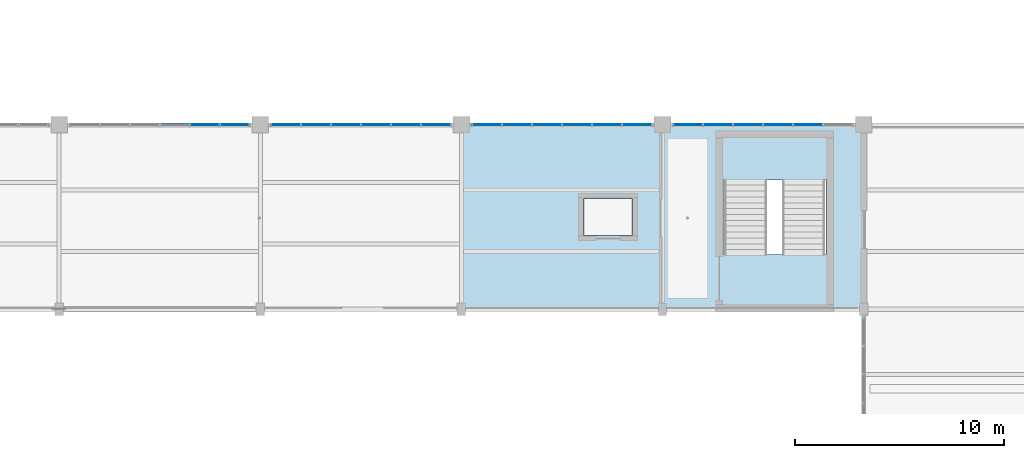
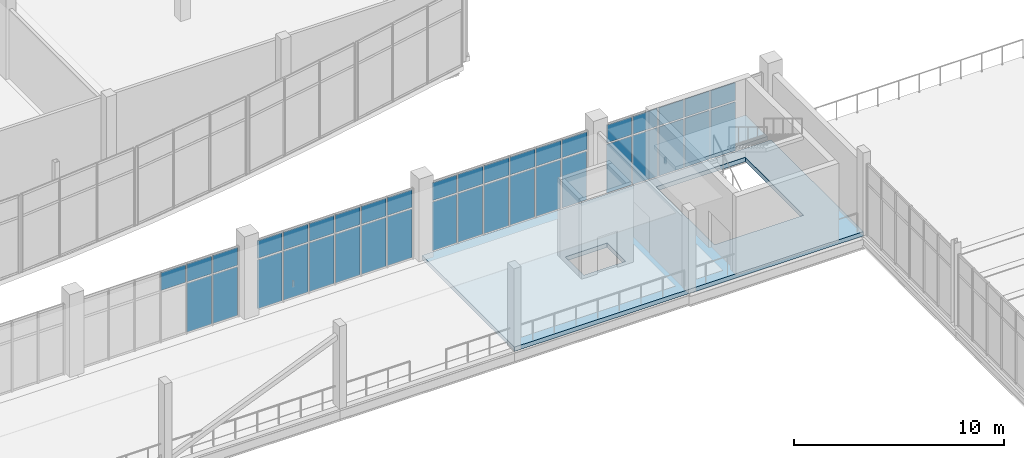
# One storey, part 121 of 157: 39 plates, 2 slabs, 5 elements without a shape of their own.
"""IFC4 building model written with IfcOpenShell, lengths in metres."""

from ifc_helpers import new_model, si_unit, direction, frame, origin, origin_2d, place, context, subcontext, project, spatial, polyline, rectangle, outline, extrude, material, layer, layer_set, type_object, element, aggregate, save


model = new_model("IFC4")

# Units and contexts
model_context = context("Model", 3, precision=1e-05, world=origin(), true_north=direction((0.0, 1.0)))
body_context = subcontext(model_context, "Body", "Model", "MODEL_VIEW")
ifc_project = project(units=[si_unit("LENGTHUNIT", "METRE"), si_unit("AREAUNIT", "SQUARE_METRE"), si_unit("VOLUMEUNIT", "CUBIC_METRE"), si_unit("PLANEANGLEUNIT", "RADIAN"), si_unit("MASSUNIT", "GRAM", prefix="KILO")], contexts=[model_context])

# Site, building, storey
site_placement = place(None, origin())
site = spatial("IfcSite", under=ifc_project, at=site_placement, CompositionType="ELEMENT")
building_placement = place(site_placement, origin())
building = spatial("IfcBuilding", under=site, at=building_placement, Name="Chalmorin Arch Market", CompositionType="ELEMENT")
storey_placement = place(building_placement, frame((0.0, 0.0, 4.800048828125)))
storey = spatial("IfcBuildingStorey", under=building, at=storey_placement, Name="L01", CompositionType="ELEMENT", Elevation=4.800048828125)

# Slab
ifc_material_1 = material(Name="Concrete C40/50", Category="concrete")
ifc_layer_1 = layer(ifc_material_1, 0.25)
ifc_layer_set_1 = layer_set([ifc_layer_1], Name="Concrete C40/50")
slab_type_1 = type_object("IfcSlabType", Name="MezzanineDeckSlab-250", PredefinedType="FLOOR", material=ifc_layer_set_1)
slab_1_placement = place(storey_placement, frame((0.0, 0.0, -0.25)))
element("IfcSlab", 1, at=slab_1_placement, inside=storey, type_object=slab_type_1, Name="FS-250-092", PredefinedType="FLOOR", context=body_context, shape_type="SweptSolid", body=[
    extrude(outline(polyline([(105.610107421875, 50.0), (124.7900390625, 50.0), (124.7900390625, 58.800048828125), (105.610107421875, 58.800048828125), (105.610107421875, 50.0)]), holes=[polyline([(118.10009765625, 52.60009765625), (123.0, 52.60009765625), (123.0, 58.14990234375), (118.10009765625, 58.14990234375), (118.10009765625, 52.60009765625)]), polyline([(111.449951171875, 53.52490234375), (113.75, 53.52490234375), (113.75, 55.27490234375), (111.449951171875, 55.27490234375), (111.449951171875, 53.52490234375)])]), origin(), (0.0, 0.0, 1.0), 0.25),
])

# Curtain wall, plates
ifc_material_2 = material(Name="Aluminium 6063-T6", Category="aluminium")
ifc_layer_2 = layer(ifc_material_2, 0.159912109375)
ifc_layer_set_2 = layer_set([ifc_layer_2], Name="Aluminium 6063-T6")
curtain_wall_type = type_object("IfcCurtainWallType", Name="MarketClerestoryCurtainWall-CW1-8580x4100", PredefinedType="NOTDEFINED", material=ifc_layer_set_2)
curtain_wall_1_placement = place(storey_placement, origin())
curtain_wall_1 = element("IfcCurtainWall", 2, at=curtain_wall_1_placement, inside=storey, type_object=curtain_wall_type, Name="CW-01-015", PredefinedType="NOTDEFINED")
ifc_material_3 = material(Name="Powder-coated Aluminium Panel", Category="aluminium")
ifc_layer_3 = layer(ifc_material_3, 0.0400390625)
ifc_layer_set_3 = layer_set([ifc_layer_3], Name="Powder-coated Aluminium Panel")
plate_type_1 = type_object("IfcPlateType", Name="ShadowboxSpandrelPanel-40", PredefinedType="CURTAIN_PANEL", material=ifc_layer_set_3)
plate_1_placement = place(storey_placement, frame((91.9150390625, 58.800048828125, 2.994140625), z_axis=(0.0, 0.0, 1.0), x_axis=(1.0, 0.0, 0.0)))
plate_1 = element("IfcPlate", 3, at=plate_1_placement, type_object=plate_type_1, Name="SP-40-015-04B", PredefinedType="CURTAIN_PANEL", context=body_context, shape_type="SweptSolid", body=[
    extrude(rectangle(XDim=1.35009765625, YDim=0.0400390625, at=origin_2d()), origin(), (0.0, 0.0, 1.0), 1.031982421875),
])
plate_2_placement = place(storey_placement, frame((93.344970703125, 58.800048828125, 2.994140625), z_axis=(0.0, 0.0, 1.0), x_axis=(1.0, 0.0, 0.0)))
plate_2 = element("IfcPlate", 4, at=plate_2_placement, type_object=plate_type_1, Name="SP-40-015-05B", PredefinedType="CURTAIN_PANEL", context=body_context, shape_type="SweptSolid", body=[
    extrude(rectangle(XDim=1.35009765625, YDim=0.0400390625, at=origin_2d()), origin(), (0.0, 0.0, 1.0), 1.031982421875),
])
plate_3_placement = place(storey_placement, frame((94.77490234375, 58.800048828125, 2.994140625), z_axis=(0.0, 0.0, 1.0), x_axis=(1.0, 0.0, 0.0)))
plate_3 = element("IfcPlate", 5, at=plate_3_placement, type_object=plate_type_1, Name="SP-40-015-06B", PredefinedType="CURTAIN_PANEL", context=body_context, shape_type="SweptSolid", body=[
    extrude(rectangle(XDim=1.35009765625, YDim=0.0400390625, at=origin_2d()), origin(), (0.0, 0.0, 1.0), 1.031982421875),
])

curtain_wall_2_placement = place(storey_placement, origin())
curtain_wall_2 = element("IfcCurtainWall", 6, at=curtain_wall_2_placement, inside=storey, type_object=curtain_wall_type, Name="CW-01-018", PredefinedType="NOTDEFINED")
plate_4_placement = place(storey_placement, frame((97.22509765625, 58.800048828125, 2.994140625), z_axis=(0.0, 0.0, 1.0), x_axis=(1.0, 0.0, 0.0)))
plate_4 = element("IfcPlate", 7, at=plate_4_placement, type_object=plate_type_1, Name="SP-40-018-01B", PredefinedType="CURTAIN_PANEL", context=body_context, shape_type="SweptSolid", body=[
    extrude(rectangle(XDim=1.35009765625, YDim=0.0400390625, at=origin_2d()), origin(), (0.0, 0.0, 1.0), 1.031982421875),
])
plate_5_placement = place(storey_placement, frame((98.655029296875, 58.800048828125, 2.994140625), z_axis=(0.0, 0.0, 1.0), x_axis=(1.0, 0.0, 0.0)))
plate_5 = element("IfcPlate", 8, at=plate_5_placement, type_object=plate_type_1, Name="SP-40-018-02B", PredefinedType="CURTAIN_PANEL", context=body_context, shape_type="SweptSolid", body=[
    extrude(rectangle(XDim=1.35009765625, YDim=0.0400390625, at=origin_2d()), origin(), (0.0, 0.0, 1.0), 1.031982421875),
])
plate_6_placement = place(storey_placement, frame((100.0849609375, 58.800048828125, 2.994140625), z_axis=(0.0, 0.0, 1.0), x_axis=(1.0, 0.0, 0.0)))
plate_6 = element("IfcPlate", 9, at=plate_6_placement, type_object=plate_type_1, Name="SP-40-018-03B", PredefinedType="CURTAIN_PANEL", context=body_context, shape_type="SweptSolid", body=[
    extrude(rectangle(XDim=1.35009765625, YDim=0.0400390625, at=origin_2d()), origin(), (0.0, 0.0, 1.0), 1.031982421875),
])
plate_7_placement = place(storey_placement, frame((101.514892578125, 58.800048828125, 2.994140625), z_axis=(0.0, 0.0, 1.0), x_axis=(1.0, 0.0, 0.0)))
plate_7 = element("IfcPlate", 10, at=plate_7_placement, type_object=plate_type_1, Name="SP-40-018-04B", PredefinedType="CURTAIN_PANEL", context=body_context, shape_type="SweptSolid", body=[
    extrude(rectangle(XDim=1.35009765625, YDim=0.0400390625, at=origin_2d()), origin(), (0.0, 0.0, 1.0), 1.031982421875),
])
plate_8_placement = place(storey_placement, frame((102.945068359375, 58.800048828125, 2.994140625), z_axis=(0.0, 0.0, 1.0), x_axis=(1.0, 0.0, 0.0)))
plate_8 = element("IfcPlate", 11, at=plate_8_placement, type_object=plate_type_1, Name="SP-40-018-05B", PredefinedType="CURTAIN_PANEL", context=body_context, shape_type="SweptSolid", body=[
    extrude(rectangle(XDim=1.35009765625, YDim=0.0400390625, at=origin_2d()), origin(), (0.0, 0.0, 1.0), 1.031982421875),
])
plate_9_placement = place(storey_placement, frame((104.375, 58.800048828125, 2.994140625), z_axis=(0.0, 0.0, 1.0), x_axis=(1.0, 0.0, 0.0)))
plate_9 = element("IfcPlate", 12, at=plate_9_placement, type_object=plate_type_1, Name="SP-40-018-06B", PredefinedType="CURTAIN_PANEL", context=body_context, shape_type="SweptSolid", body=[
    extrude(rectangle(XDim=1.35009765625, YDim=0.0400390625, at=origin_2d()), origin(), (0.0, 0.0, 1.0), 1.031982421875),
])

curtain_wall_3_placement = place(storey_placement, origin())
curtain_wall_3 = element("IfcCurtainWall", 13, at=curtain_wall_3_placement, inside=storey, type_object=curtain_wall_type, Name="CW-01-021", PredefinedType="NOTDEFINED")
plate_10_placement = place(storey_placement, frame((106.824951171875, 58.800048828125, 2.994140625), z_axis=(0.0, 0.0, 1.0), x_axis=(1.0, 0.0, 0.0)))
plate_10 = element("IfcPlate", 14, at=plate_10_placement, type_object=plate_type_1, Name="SP-40-021-01B", PredefinedType="CURTAIN_PANEL", context=body_context, shape_type="SweptSolid", body=[
    extrude(rectangle(XDim=1.35009765625, YDim=0.0400390625, at=origin_2d()), origin(), (0.0, 0.0, 1.0), 1.031982421875),
])
plate_11_placement = place(storey_placement, frame((108.2548828125, 58.800048828125, 2.994140625), z_axis=(0.0, 0.0, 1.0), x_axis=(1.0, 0.0, 0.0)))
plate_11 = element("IfcPlate", 15, at=plate_11_placement, type_object=plate_type_1, Name="SP-40-021-02B", PredefinedType="CURTAIN_PANEL", context=body_context, shape_type="SweptSolid", body=[
    extrude(rectangle(XDim=1.35009765625, YDim=0.0400390625, at=origin_2d()), origin(), (0.0, 0.0, 1.0), 1.031982421875),
])
plate_12_placement = place(storey_placement, frame((109.68505859375, 58.800048828125, 2.994140625), z_axis=(0.0, 0.0, 1.0), x_axis=(1.0, 0.0, 0.0)))
plate_12 = element("IfcPlate", 16, at=plate_12_placement, type_object=plate_type_1, Name="SP-40-021-03B", PredefinedType="CURTAIN_PANEL", context=body_context, shape_type="SweptSolid", body=[
    extrude(rectangle(XDim=1.35009765625, YDim=0.0400390625, at=origin_2d()), origin(), (0.0, 0.0, 1.0), 1.031982421875),
])
plate_13_placement = place(storey_placement, frame((111.114990234375, 58.800048828125, 2.994140625), z_axis=(0.0, 0.0, 1.0), x_axis=(1.0, 0.0, 0.0)))
plate_13 = element("IfcPlate", 17, at=plate_13_placement, type_object=plate_type_1, Name="SP-40-021-04B", PredefinedType="CURTAIN_PANEL", context=body_context, shape_type="SweptSolid", body=[
    extrude(rectangle(XDim=1.35009765625, YDim=0.0400390625, at=origin_2d()), origin(), (0.0, 0.0, 1.0), 1.031982421875),
])
plate_14_placement = place(storey_placement, frame((112.544921875, 58.800048828125, 2.994140625), z_axis=(0.0, 0.0, 1.0), x_axis=(1.0, 0.0, 0.0)))
plate_14 = element("IfcPlate", 18, at=plate_14_placement, type_object=plate_type_1, Name="SP-40-021-05B", PredefinedType="CURTAIN_PANEL", context=body_context, shape_type="SweptSolid", body=[
    extrude(rectangle(XDim=1.35009765625, YDim=0.0400390625, at=origin_2d()), origin(), (0.0, 0.0, 1.0), 1.031982421875),
])
plate_15_placement = place(storey_placement, frame((113.97509765625, 58.800048828125, 2.994140625), z_axis=(0.0, 0.0, 1.0), x_axis=(1.0, 0.0, 0.0)))
plate_15 = element("IfcPlate", 19, at=plate_15_placement, type_object=plate_type_1, Name="SP-40-021-06B", PredefinedType="CURTAIN_PANEL", context=body_context, shape_type="SweptSolid", body=[
    extrude(rectangle(XDim=1.35009765625, YDim=0.0400390625, at=origin_2d()), origin(), (0.0, 0.0, 1.0), 1.031982421875),
])

curtain_wall_4_placement = place(storey_placement, origin())
curtain_wall_4 = element("IfcCurtainWall", 20, at=curtain_wall_4_placement, inside=storey, type_object=curtain_wall_type, Name="CW-01-024", PredefinedType="NOTDEFINED")
plate_16_placement = place(storey_placement, frame((116.425048828125, 58.800048828125, 2.994140625), z_axis=(0.0, 0.0, 1.0), x_axis=(1.0, 0.0, 0.0)))
plate_16 = element("IfcPlate", 21, at=plate_16_placement, type_object=plate_type_1, Name="SP-40-024-01B", PredefinedType="CURTAIN_PANEL", context=body_context, shape_type="SweptSolid", body=[
    extrude(rectangle(XDim=1.35009765625, YDim=0.0400390625, at=origin_2d()), origin(), (0.0, 0.0, 1.0), 1.031982421875),
])
plate_17_placement = place(storey_placement, frame((117.85498046875, 58.800048828125, 2.994140625), z_axis=(0.0, 0.0, 1.0), x_axis=(1.0, 0.0, 0.0)))
plate_17 = element("IfcPlate", 22, at=plate_17_placement, type_object=plate_type_1, Name="SP-40-024-02B", PredefinedType="CURTAIN_PANEL", context=body_context, shape_type="SweptSolid", body=[
    extrude(rectangle(XDim=1.35009765625, YDim=0.0400390625, at=origin_2d()), origin(), (0.0, 0.0, 1.0), 1.031982421875),
])
plate_18_placement = place(storey_placement, frame((119.284912109375, 58.800048828125, 2.994140625), z_axis=(0.0, 0.0, 1.0), x_axis=(1.0, 0.0, 0.0)))
plate_18 = element("IfcPlate", 23, at=plate_18_placement, type_object=plate_type_1, Name="SP-40-024-03B", PredefinedType="CURTAIN_PANEL", context=body_context, shape_type="SweptSolid", body=[
    extrude(rectangle(XDim=1.35009765625, YDim=0.0400390625, at=origin_2d()), origin(), (0.0, 0.0, 1.0), 1.031982421875),
])
plate_19_placement = place(storey_placement, frame((120.715087890625, 58.800048828125, 2.994140625), z_axis=(0.0, 0.0, 1.0), x_axis=(1.0, 0.0, 0.0)))
plate_19 = element("IfcPlate", 24, at=plate_19_placement, type_object=plate_type_1, Name="SP-40-024-04B", PredefinedType="CURTAIN_PANEL", context=body_context, shape_type="SweptSolid", body=[
    extrude(rectangle(XDim=1.35009765625, YDim=0.0400390625, at=origin_2d()), origin(), (0.0, 0.0, 1.0), 1.031982421875),
])
plate_20_placement = place(storey_placement, frame((122.14501953125, 58.800048828125, 2.994140625), z_axis=(0.0, 0.0, 1.0), x_axis=(1.0, 0.0, 0.0)))
plate_20 = element("IfcPlate", 25, at=plate_20_placement, type_object=plate_type_1, Name="SP-40-024-05B", PredefinedType="CURTAIN_PANEL", context=body_context, shape_type="SweptSolid", body=[
    extrude(rectangle(XDim=1.35009765625, YDim=0.0400390625, at=origin_2d()), origin(), (0.0, 0.0, 1.0), 1.031982421875),
])

# Stair, slab
stair_type = type_object("IfcStairType", Name="DoglegExitStair-28R-SC4", PredefinedType="HALF_TURN_STAIR", material=ifc_material_1)
stair_placement = place(storey_placement, origin())
stair = element("IfcStair", 26, at=stair_placement, inside=storey, type_object=stair_type, Name="ST-10", PredefinedType="HALF_TURN_STAIR")
ifc_layer_4 = layer(ifc_material_1, 0.205078125)
ifc_layer_set_4 = layer_set([ifc_layer_4], Name="Concrete C40/50")
slab_type_2 = type_object("IfcSlabType", Name="StairLandingSlab-205", PredefinedType="LANDING", material=ifc_layer_set_4)
slab_2_placement = place(storey_placement, frame((0.0, 0.0, 2.195068359375)))
slab_2 = element("IfcSlab", 27, at=slab_2_placement, type_object=slab_type_2, Name="LS-010", PredefinedType="LANDING", context=body_context, shape_type="SweptSolid", body=[
    extrude(outline(polyline([(118.02001953125, 56.159912109375), (123.080078125, 56.159912109375), (123.080078125, 58.22998046875), (118.02001953125, 58.22998046875), (118.02001953125, 56.159912109375)])), origin(), (0.0, 0.0, 1.0), 0.204833984375),
])
aggregate(stair, [slab_2])

# Plate
ifc_material_4 = material(Name="Low-E Tempered Glass", Category="glass")
ifc_layer_5 = layer(ifc_material_4, 0.028076171875)
ifc_layer_set_5 = layer_set([ifc_layer_5], Name="Low-E Tempered Glass")
plate_type_2 = type_object("IfcPlateType", Name="VisionIGUPanel-28", PredefinedType="CURTAIN_PANEL", material=ifc_layer_set_5)
plate_21_placement = place(storey_placement, frame((93.344970703125, 58.800048828125, 0.070068359375), z_axis=(0.0, 0.0, 1.0), x_axis=(1.0, 0.0, 0.0)))
plate_21 = element("IfcPlate", 28, at=plate_21_placement, type_object=plate_type_2, Name="GL-28-015-05A", PredefinedType="CURTAIN_PANEL", context=body_context, shape_type="SweptSolid", body=[
    extrude(rectangle(XDim=1.35009765625, YDim=0.028076171875, at=origin_2d()), origin(), (0.0, 0.0, 1.0), 2.833984375),
])

plate_22_placement = place(storey_placement, frame((94.77490234375, 58.800048828125, 0.070068359375), z_axis=(0.0, 0.0, 1.0), x_axis=(1.0, 0.0, 0.0)))
plate_22 = element("IfcPlate", 29, at=plate_22_placement, type_object=plate_type_2, Name="GL-28-015-06A", PredefinedType="CURTAIN_PANEL", context=body_context, shape_type="SweptSolid", body=[
    extrude(rectangle(XDim=1.35009765625, YDim=0.028076171875, at=origin_2d()), origin(), (0.0, 0.0, 1.0), 2.833984375),
])

aggregate(curtain_wall_1, [plate_1, plate_21, plate_2, plate_22, plate_3])

plate_23_placement = place(storey_placement, frame((97.22509765625, 58.800048828125, 0.070068359375), z_axis=(0.0, 0.0, 1.0), x_axis=(1.0, 0.0, 0.0)))
plate_23 = element("IfcPlate", 30, at=plate_23_placement, type_object=plate_type_2, Name="GL-28-018-01A", PredefinedType="CURTAIN_PANEL", context=body_context, shape_type="SweptSolid", body=[
    extrude(rectangle(XDim=1.35009765625, YDim=0.028076171875, at=origin_2d()), origin(), (0.0, 0.0, 1.0), 2.833984375),
])

plate_24_placement = place(storey_placement, frame((98.655029296875, 58.800048828125, 0.070068359375), z_axis=(0.0, 0.0, 1.0), x_axis=(1.0, 0.0, 0.0)))
plate_24 = element("IfcPlate", 31, at=plate_24_placement, type_object=plate_type_2, Name="GL-28-018-02A", PredefinedType="CURTAIN_PANEL", context=body_context, shape_type="SweptSolid", body=[
    extrude(rectangle(XDim=1.35009765625, YDim=0.028076171875, at=origin_2d()), origin(), (0.0, 0.0, 1.0), 2.833984375),
])

plate_25_placement = place(storey_placement, frame((100.0849609375, 58.800048828125, 0.070068359375), z_axis=(0.0, 0.0, 1.0), x_axis=(1.0, 0.0, 0.0)))
plate_25 = element("IfcPlate", 32, at=plate_25_placement, type_object=plate_type_2, Name="GL-28-018-03A", PredefinedType="CURTAIN_PANEL", context=body_context, shape_type="SweptSolid", body=[
    extrude(rectangle(XDim=1.35009765625, YDim=0.028076171875, at=origin_2d()), origin(), (0.0, 0.0, 1.0), 2.833984375),
])

plate_26_placement = place(storey_placement, frame((101.514892578125, 58.800048828125, 0.070068359375), z_axis=(0.0, 0.0, 1.0), x_axis=(1.0, 0.0, 0.0)))
plate_26 = element("IfcPlate", 33, at=plate_26_placement, type_object=plate_type_2, Name="GL-28-018-04A", PredefinedType="CURTAIN_PANEL", context=body_context, shape_type="SweptSolid", body=[
    extrude(rectangle(XDim=1.35009765625, YDim=0.028076171875, at=origin_2d()), origin(), (0.0, 0.0, 1.0), 2.833984375),
])

plate_27_placement = place(storey_placement, frame((102.945068359375, 58.800048828125, 0.070068359375), z_axis=(0.0, 0.0, 1.0), x_axis=(1.0, 0.0, 0.0)))
plate_27 = element("IfcPlate", 34, at=plate_27_placement, type_object=plate_type_2, Name="GL-28-018-05A", PredefinedType="CURTAIN_PANEL", context=body_context, shape_type="SweptSolid", body=[
    extrude(rectangle(XDim=1.35009765625, YDim=0.028076171875, at=origin_2d()), origin(), (0.0, 0.0, 1.0), 2.833984375),
])

plate_28_placement = place(storey_placement, frame((104.375, 58.800048828125, 0.070068359375), z_axis=(0.0, 0.0, 1.0), x_axis=(1.0, 0.0, 0.0)))
plate_28 = element("IfcPlate", 35, at=plate_28_placement, type_object=plate_type_2, Name="GL-28-018-06A", PredefinedType="CURTAIN_PANEL", context=body_context, shape_type="SweptSolid", body=[
    extrude(rectangle(XDim=1.35009765625, YDim=0.028076171875, at=origin_2d()), origin(), (0.0, 0.0, 1.0), 2.833984375),
])

aggregate(curtain_wall_2, [plate_23, plate_4, plate_24, plate_5, plate_25, plate_6, plate_26, plate_7, plate_27, plate_8, plate_28, plate_9])

plate_29_placement = place(storey_placement, frame((106.824951171875, 58.800048828125, 0.070068359375), z_axis=(0.0, 0.0, 1.0), x_axis=(1.0, 0.0, 0.0)))
plate_29 = element("IfcPlate", 36, at=plate_29_placement, type_object=plate_type_2, Name="GL-28-021-01A", PredefinedType="CURTAIN_PANEL", context=body_context, shape_type="SweptSolid", body=[
    extrude(rectangle(XDim=1.35009765625, YDim=0.028076171875, at=origin_2d()), origin(), (0.0, 0.0, 1.0), 2.833984375),
])

plate_30_placement = place(storey_placement, frame((108.2548828125, 58.800048828125, 0.070068359375), z_axis=(0.0, 0.0, 1.0), x_axis=(1.0, 0.0, 0.0)))
plate_30 = element("IfcPlate", 37, at=plate_30_placement, type_object=plate_type_2, Name="GL-28-021-02A", PredefinedType="CURTAIN_PANEL", context=body_context, shape_type="SweptSolid", body=[
    extrude(rectangle(XDim=1.35009765625, YDim=0.028076171875, at=origin_2d()), origin(), (0.0, 0.0, 1.0), 2.833984375),
])

plate_31_placement = place(storey_placement, frame((109.68505859375, 58.800048828125, 0.070068359375), z_axis=(0.0, 0.0, 1.0), x_axis=(1.0, 0.0, 0.0)))
plate_31 = element("IfcPlate", 38, at=plate_31_placement, type_object=plate_type_2, Name="GL-28-021-03A", PredefinedType="CURTAIN_PANEL", context=body_context, shape_type="SweptSolid", body=[
    extrude(rectangle(XDim=1.35009765625, YDim=0.028076171875, at=origin_2d()), origin(), (0.0, 0.0, 1.0), 2.833984375),
])

plate_32_placement = place(storey_placement, frame((111.114990234375, 58.800048828125, 0.070068359375), z_axis=(0.0, 0.0, 1.0), x_axis=(1.0, 0.0, 0.0)))
plate_32 = element("IfcPlate", 39, at=plate_32_placement, type_object=plate_type_2, Name="GL-28-021-04A", PredefinedType="CURTAIN_PANEL", context=body_context, shape_type="SweptSolid", body=[
    extrude(rectangle(XDim=1.35009765625, YDim=0.028076171875, at=origin_2d()), origin(), (0.0, 0.0, 1.0), 2.833984375),
])

plate_33_placement = place(storey_placement, frame((112.544921875, 58.800048828125, 0.070068359375), z_axis=(0.0, 0.0, 1.0), x_axis=(1.0, 0.0, 0.0)))
plate_33 = element("IfcPlate", 40, at=plate_33_placement, type_object=plate_type_2, Name="GL-28-021-05A", PredefinedType="CURTAIN_PANEL", context=body_context, shape_type="SweptSolid", body=[
    extrude(rectangle(XDim=1.35009765625, YDim=0.028076171875, at=origin_2d()), origin(), (0.0, 0.0, 1.0), 2.833984375),
])

plate_34_placement = place(storey_placement, frame((113.97509765625, 58.800048828125, 0.070068359375), z_axis=(0.0, 0.0, 1.0), x_axis=(1.0, 0.0, 0.0)))
plate_34 = element("IfcPlate", 41, at=plate_34_placement, type_object=plate_type_2, Name="GL-28-021-06A", PredefinedType="CURTAIN_PANEL", context=body_context, shape_type="SweptSolid", body=[
    extrude(rectangle(XDim=1.35009765625, YDim=0.028076171875, at=origin_2d()), origin(), (0.0, 0.0, 1.0), 2.833984375),
])

aggregate(curtain_wall_3, [plate_29, plate_10, plate_30, plate_11, plate_31, plate_12, plate_32, plate_13, plate_33, plate_14, plate_34, plate_15])

plate_35_placement = place(storey_placement, frame((116.425048828125, 58.800048828125, 0.070068359375), z_axis=(0.0, 0.0, 1.0), x_axis=(1.0, 0.0, 0.0)))
plate_35 = element("IfcPlate", 42, at=plate_35_placement, type_object=plate_type_2, Name="GL-28-024-01A", PredefinedType="CURTAIN_PANEL", context=body_context, shape_type="SweptSolid", body=[
    extrude(rectangle(XDim=1.35009765625, YDim=0.028076171875, at=origin_2d()), origin(), (0.0, 0.0, 1.0), 2.833984375),
])

plate_36_placement = place(storey_placement, frame((117.85498046875, 58.800048828125, 0.070068359375), z_axis=(0.0, 0.0, 1.0), x_axis=(1.0, 0.0, 0.0)))
plate_36 = element("IfcPlate", 43, at=plate_36_placement, type_object=plate_type_2, Name="GL-28-024-02A", PredefinedType="CURTAIN_PANEL", context=body_context, shape_type="SweptSolid", body=[
    extrude(rectangle(XDim=1.35009765625, YDim=0.028076171875, at=origin_2d()), origin(), (0.0, 0.0, 1.0), 2.833984375),
])

plate_37_placement = place(storey_placement, frame((119.284912109375, 58.800048828125, 0.070068359375), z_axis=(0.0, 0.0, 1.0), x_axis=(1.0, 0.0, 0.0)))
plate_37 = element("IfcPlate", 44, at=plate_37_placement, type_object=plate_type_2, Name="GL-28-024-03A", PredefinedType="CURTAIN_PANEL", context=body_context, shape_type="SweptSolid", body=[
    extrude(rectangle(XDim=1.35009765625, YDim=0.028076171875, at=origin_2d()), origin(), (0.0, 0.0, 1.0), 2.833984375),
])

plate_38_placement = place(storey_placement, frame((120.715087890625, 58.800048828125, 0.070068359375), z_axis=(0.0, 0.0, 1.0), x_axis=(1.0, 0.0, 0.0)))
plate_38 = element("IfcPlate", 45, at=plate_38_placement, type_object=plate_type_2, Name="GL-28-024-04A", PredefinedType="CURTAIN_PANEL", context=body_context, shape_type="SweptSolid", body=[
    extrude(rectangle(XDim=1.35009765625, YDim=0.028076171875, at=origin_2d()), origin(), (0.0, 0.0, 1.0), 2.833984375),
])

plate_39_placement = place(storey_placement, frame((122.14501953125, 58.800048828125, 0.070068359375), z_axis=(0.0, 0.0, 1.0), x_axis=(1.0, 0.0, 0.0)))
plate_39 = element("IfcPlate", 46, at=plate_39_placement, type_object=plate_type_2, Name="GL-28-024-05A", PredefinedType="CURTAIN_PANEL", context=body_context, shape_type="SweptSolid", body=[
    extrude(rectangle(XDim=1.35009765625, YDim=0.028076171875, at=origin_2d()), origin(), (0.0, 0.0, 1.0), 2.833984375),
])

aggregate(curtain_wall_4, [plate_35, plate_16, plate_36, plate_17, plate_37, plate_18, plate_38, plate_19, plate_39, plate_20])

save(model, "model.ifc")
